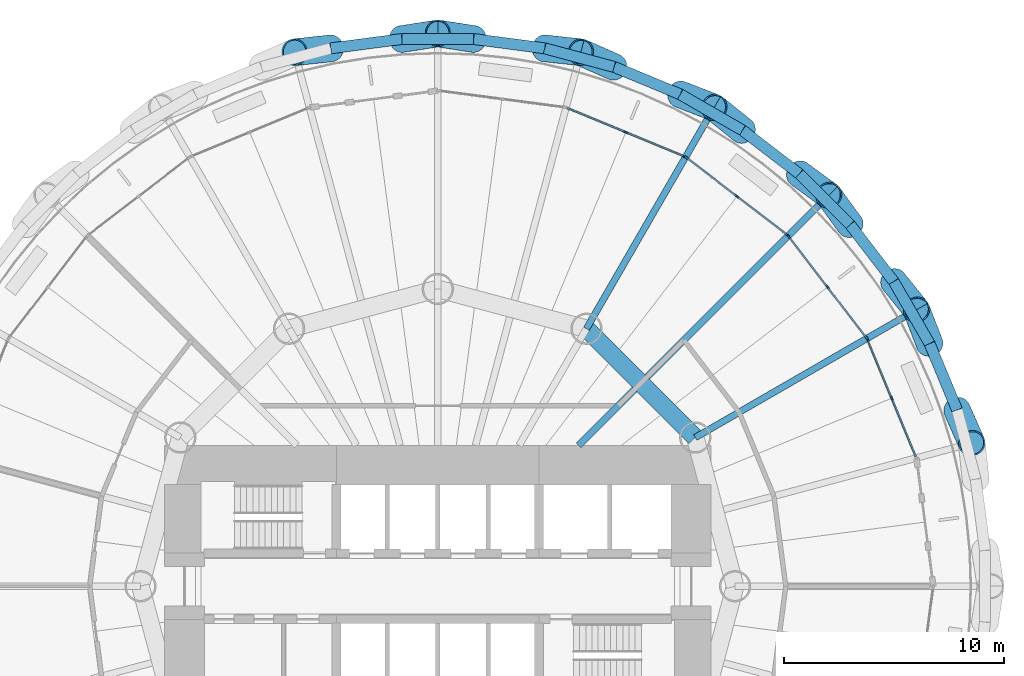
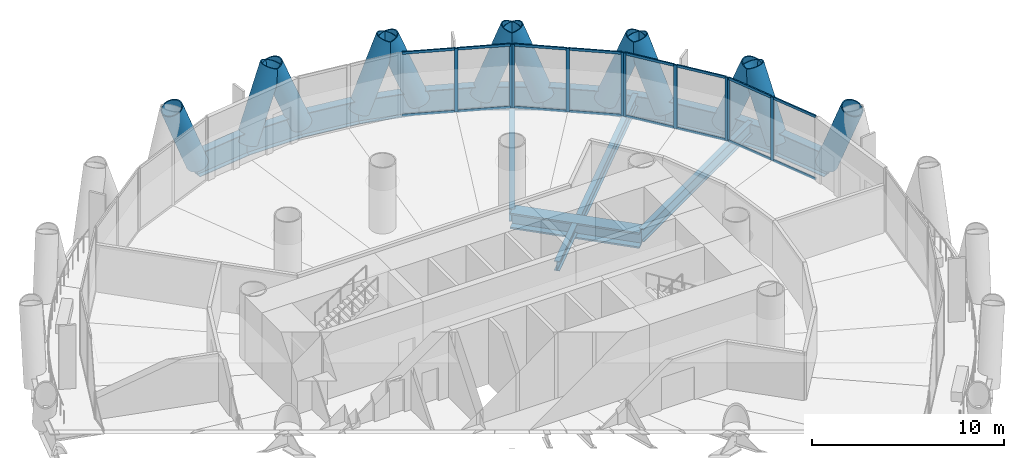
# One storey, part 7 of 16: 38 members, 16 beams, 4 elements without a shape of their own.
"""IFC4 building model written with IfcOpenShell, lengths in metres."""

from ifc_helpers import new_model, si_unit, direction, frame, origin, origin_2d, place, context, subcontext, project, spatial, rectangle, hollow_circle, i_section, extrude, material, material_profile, profile_set, type_object, element, aggregate, save


model = new_model("IFC4")

# Units and contexts
model_context = context("Model", 3, precision=1e-05, world=origin(), true_north=direction((0.0, 1.0)))
body_context = subcontext(model_context, "Body", "Model", "MODEL_VIEW")
ifc_project = project(units=[si_unit("LENGTHUNIT", "METRE"), si_unit("AREAUNIT", "SQUARE_METRE"), si_unit("VOLUMEUNIT", "CUBIC_METRE"), si_unit("PLANEANGLEUNIT", "RADIAN"), si_unit("MASSUNIT", "GRAM", prefix="KILO")], contexts=[model_context])

# Site, building, storey
site_placement = place(None, origin())
site = spatial("IfcSite", under=ifc_project, at=site_placement, CompositionType="ELEMENT")
building_placement = place(site_placement, origin())
building = spatial("IfcBuilding", under=site, at=building_placement, Name="Qaws Media Tower", CompositionType="ELEMENT")
storey_placement = place(building_placement, frame((0.0, 0.0, 55.39990234375)))
storey = spatial("IfcBuildingStorey", under=building, at=storey_placement, Name="L11", CompositionType="ELEMENT", Elevation=55.39990234375)

# Curtain wall, members
ifc_material_1 = material(Name="Aluminium and clear glass", Category="aluminium")
curtain_wall_type = type_object("IfcCurtainWallType", Name="Unitised curtain wall CW-A", PredefinedType="NOTDEFINED", material=ifc_material_1)
curtain_wall_1_placement = place(storey_placement, origin())
curtain_wall_1 = element("IfcCurtainWall", 1, at=curtain_wall_1_placement, inside=storey, type_object=curtain_wall_type, Name="CWA curtain wall L11-02", PredefinedType="NOTDEFINED")
ifc_material_2 = material(Name="Aluminium mullion", Category="aluminium")
ifc_material_profile_1 = material_profile(ifc_material_2, rectangle(XDim=0.080078125, YDim=0.199951171875, at=origin_2d()), Name="80x200")
ifc_profile_set_1 = profile_set([ifc_material_profile_1], Name="Aluminium mullion")
member_type_1 = type_object("IfcMemberType", Name="Curtain wall mullion 80x200", PredefinedType="MULLION", material=ifc_profile_set_1)
member_1_placement = place(storey_placement, frame((80.609375, 58.53662109375, 0.0), z_axis=(0.0, 0.0, 1.0), x_axis=(-0.923879550892, -0.38268338799, 0.0)))
member_1 = element("IfcMember", 2, at=member_1_placement, type_object=member_type_1, Name="CWA mullion 2", PredefinedType="MULLION", context=body_context, shape_type="SweptSolid", body=[
    extrude(rectangle(XDim=0.080078125, YDim=0.199951171875, at=origin_2d()), origin(), (0.0, 0.0, 1.0), 4.0400390625),
])
member_2_placement = place(storey_placement, frame((79.5009765625, 61.213134765625, 0.0), z_axis=(0.0, 0.0, 1.0), x_axis=(-0.923879550892, -0.38268338799, 0.0)))
member_2 = element("IfcMember", 3, at=member_2_placement, type_object=member_type_1, Name="CWA mullion 3", PredefinedType="MULLION", context=body_context, shape_type="SweptSolid", body=[
    extrude(rectangle(XDim=0.080078125, YDim=0.199951171875, at=origin_2d()), origin(), (0.0, 0.0, 1.0), 4.0400390625),
])

curtain_wall_2_placement = place(storey_placement, origin())
curtain_wall_2 = element("IfcCurtainWall", 4, at=curtain_wall_2_placement, inside=storey, type_object=curtain_wall_type, Name="CWA curtain wall L11-03", PredefinedType="NOTDEFINED")
member_3_placement = place(storey_placement, frame((79.461181640625, 61.28173828125, 0.0), z_axis=(0.0, 0.0, 1.0), x_axis=(-0.793353367693, -0.608761393298, 0.0)))
member_3 = element("IfcMember", 5, at=member_3_placement, type_object=member_type_1, Name="CWA mullion 1", PredefinedType="MULLION", context=body_context, shape_type="SweptSolid", body=[
    extrude(rectangle(XDim=0.080078125, YDim=0.199951171875, at=origin_2d()), origin(), (0.0, 0.0, 1.0), 4.0400390625),
])
member_4_placement = place(storey_placement, frame((77.69775390625, 63.579833984375, 0.0), z_axis=(0.0, 0.0, 1.0), x_axis=(-0.793353367693, -0.608761393298, 0.0)))
member_4 = element("IfcMember", 6, at=member_4_placement, type_object=member_type_1, Name="CWA mullion 2", PredefinedType="MULLION", context=body_context, shape_type="SweptSolid", body=[
    extrude(rectangle(XDim=0.080078125, YDim=0.199951171875, at=origin_2d()), origin(), (0.0, 0.0, 1.0), 4.0400390625),
])
member_5_placement = place(storey_placement, frame((75.934326171875, 65.878173828125, 0.0), z_axis=(0.0, 0.0, 1.0), x_axis=(-0.793353367693, -0.608761393298, 0.0)))
member_5 = element("IfcMember", 7, at=member_5_placement, type_object=member_type_1, Name="CWA mullion 3", PredefinedType="MULLION", context=body_context, shape_type="SweptSolid", body=[
    extrude(rectangle(XDim=0.080078125, YDim=0.199951171875, at=origin_2d()), origin(), (0.0, 0.0, 1.0), 4.0400390625),
])

curtain_wall_3_placement = place(storey_placement, origin())
curtain_wall_3 = element("IfcCurtainWall", 8, at=curtain_wall_3_placement, inside=storey, type_object=curtain_wall_type, Name="CWA curtain wall L11-04", PredefinedType="NOTDEFINED")
member_6_placement = place(storey_placement, frame((75.878173828125, 65.934326171875, 0.0), z_axis=(0.0, 0.0, 1.0), x_axis=(-0.608761393298, -0.793353367693, 0.0)))
member_6 = element("IfcMember", 9, at=member_6_placement, type_object=member_type_1, Name="CWA mullion 1", PredefinedType="MULLION", context=body_context, shape_type="SweptSolid", body=[
    extrude(rectangle(XDim=0.080078125, YDim=0.199951171875, at=origin_2d()), origin(), (0.0, 0.0, 1.0), 4.0400390625),
])
member_7_placement = place(storey_placement, frame((73.579833984375, 67.69775390625, 0.0), z_axis=(0.0, 0.0, 1.0), x_axis=(-0.608761393298, -0.793353367693, 0.0)))
member_7 = element("IfcMember", 10, at=member_7_placement, type_object=member_type_1, Name="CWA mullion 2", PredefinedType="MULLION", context=body_context, shape_type="SweptSolid", body=[
    extrude(rectangle(XDim=0.080078125, YDim=0.199951171875, at=origin_2d()), origin(), (0.0, 0.0, 1.0), 4.0400390625),
])
member_8_placement = place(storey_placement, frame((71.28173828125, 69.461181640625, 0.0), z_axis=(0.0, 0.0, 1.0), x_axis=(-0.608761393298, -0.793353367693, 0.0)))
member_8 = element("IfcMember", 11, at=member_8_placement, type_object=member_type_1, Name="CWA mullion 3", PredefinedType="MULLION", context=body_context, shape_type="SweptSolid", body=[
    extrude(rectangle(XDim=0.080078125, YDim=0.199951171875, at=origin_2d()), origin(), (0.0, 0.0, 1.0), 4.0400390625),
])

curtain_wall_4_placement = place(storey_placement, origin())
curtain_wall_4 = element("IfcCurtainWall", 12, at=curtain_wall_4_placement, inside=storey, type_object=curtain_wall_type, Name="CWA curtain wall L11-05", PredefinedType="NOTDEFINED")
member_9_placement = place(storey_placement, frame((71.213134765625, 69.5009765625, 0.0), z_axis=(0.0, 0.0, 1.0), x_axis=(-0.38268338799, -0.923879550892, 0.0)))
member_9 = element("IfcMember", 13, at=member_9_placement, type_object=member_type_1, Name="CWA mullion 1", PredefinedType="MULLION", context=body_context, shape_type="SweptSolid", body=[
    extrude(rectangle(XDim=0.080078125, YDim=0.199951171875, at=origin_2d()), origin(), (0.0, 0.0, 1.0), 4.0400390625),
])
member_10_placement = place(storey_placement, frame((68.53662109375, 70.609375, 0.0), z_axis=(0.0, 0.0, 1.0), x_axis=(-0.38268338799, -0.923879550892, 0.0)))
member_10 = element("IfcMember", 14, at=member_10_placement, type_object=member_type_1, Name="CWA mullion 2", PredefinedType="MULLION", context=body_context, shape_type="SweptSolid", body=[
    extrude(rectangle(XDim=0.080078125, YDim=0.199951171875, at=origin_2d()), origin(), (0.0, 0.0, 1.0), 4.0400390625),
])

# Member
ifc_material_3 = material(Name="Aluminium transom", Category="aluminium")
ifc_material_profile_2 = material_profile(ifc_material_3, rectangle(XDim=0.080078125, YDim=0.159912109375, at=origin_2d()), Name="80x160")
ifc_profile_set_2 = profile_set([ifc_material_profile_2], Name="Aluminium transom")
member_type_2 = type_object("IfcMemberType", Name="Curtain wall transom 80x160", PredefinedType="USERDEFINED", material=ifc_profile_set_2)
member_11_placement = place(storey_placement, frame((81.70263671875, 55.8974609375, 0.0400390625), z_axis=(-0.382675859369, 0.923882669313, 0.0), x_axis=(-0.923882669313, -0.382675859369, 0.0)))
member_11 = element("IfcMember", 15, at=member_11_placement, type_object=member_type_2, Name="CWA transom 1.1", ObjectType="TRANSOM", PredefinedType="USERDEFINED", context=body_context, shape_type="SweptSolid", body=[
    extrude(rectangle(XDim=0.080078125, YDim=0.159912109375, at=origin_2d()), origin(), (0.0, 0.0, 1.0), 2.816650390625),
])

member_12_placement = place(storey_placement, frame((81.70263671875, 55.8974609375, 4.0), z_axis=(-0.382675859369, 0.923882669313, 0.0), x_axis=(-0.923882669313, -0.382675859369, 0.0)))
member_12 = element("IfcMember", 16, at=member_12_placement, type_object=member_type_2, Name="CWA transom 1.2", ObjectType="TRANSOM", PredefinedType="USERDEFINED", context=body_context, shape_type="SweptSolid", body=[
    extrude(rectangle(XDim=0.080078125, YDim=0.159912109375, at=origin_2d()), origin(), (0.0, 0.0, 1.0), 2.816650390625),
])

member_13_placement = place(storey_placement, frame((80.59423828125, 58.57373046875, 0.0400390625), z_axis=(-0.382749839039, 0.92385202317, 0.0), x_axis=(-0.92385202317, -0.382749839039, 0.0)))
member_13 = element("IfcMember", 17, at=member_13_placement, type_object=member_type_2, Name="CWA transom 2.1", ObjectType="TRANSOM", PredefinedType="USERDEFINED", context=body_context, shape_type="SweptSolid", body=[
    extrude(rectangle(XDim=0.080078125, YDim=0.159912109375, at=origin_2d()), origin(), (0.0, 0.0, 1.0), 2.81689453125),
])

member_14_placement = place(storey_placement, frame((80.59423828125, 58.57373046875, 4.0), z_axis=(-0.382749839039, 0.92385202317, 0.0), x_axis=(-0.92385202317, -0.382749839039, 0.0)))
member_14 = element("IfcMember", 18, at=member_14_placement, type_object=member_type_2, Name="CWA transom 2.2", ObjectType="TRANSOM", PredefinedType="USERDEFINED", context=body_context, shape_type="SweptSolid", body=[
    extrude(rectangle(XDim=0.080078125, YDim=0.159912109375, at=origin_2d()), origin(), (0.0, 0.0, 1.0), 2.81689453125),
])

aggregate(curtain_wall_1, [member_1, member_2, member_11, member_12, member_13, member_14])

member_15_placement = place(storey_placement, frame((79.436767578125, 61.3134765625, 0.0400390625), z_axis=(-0.608742665806, 0.793367737451, 0.0), x_axis=(-0.793367737451, -0.608742665806, 0.0)))
member_15 = element("IfcMember", 19, at=member_15_placement, type_object=member_type_2, Name="CWA transom 1.1", ObjectType="TRANSOM", PredefinedType="USERDEFINED", context=body_context, shape_type="SweptSolid", body=[
    extrude(rectangle(XDim=0.080078125, YDim=0.159912109375, at=origin_2d()), origin(), (0.0, 0.0, 1.0), 2.816650390625),
])

member_16_placement = place(storey_placement, frame((79.436767578125, 61.3134765625, 4.0), z_axis=(-0.608742665806, 0.793367737451, 0.0), x_axis=(-0.793367737451, -0.608742665806, 0.0)))
member_16 = element("IfcMember", 20, at=member_16_placement, type_object=member_type_2, Name="CWA transom 1.2", ObjectType="TRANSOM", PredefinedType="USERDEFINED", context=body_context, shape_type="SweptSolid", body=[
    extrude(rectangle(XDim=0.080078125, YDim=0.159912109375, at=origin_2d()), origin(), (0.0, 0.0, 1.0), 2.816650390625),
])

member_17_placement = place(storey_placement, frame((77.67333984375, 63.611572265625, 0.0400390625), z_axis=(-0.608755360459, 0.793357996817, 0.0), x_axis=(-0.793357996817, -0.608755360459, 0.0)))
member_17 = element("IfcMember", 21, at=member_17_placement, type_object=member_type_2, Name="CWA transom 2.1", ObjectType="TRANSOM", PredefinedType="USERDEFINED", context=body_context, shape_type="SweptSolid", body=[
    extrude(rectangle(XDim=0.080078125, YDim=0.159912109375, at=origin_2d()), origin(), (0.0, 0.0, 1.0), 2.81689453125),
])

member_18_placement = place(storey_placement, frame((77.67333984375, 63.611572265625, 4.0), z_axis=(-0.608755360459, 0.793357996817, 0.0), x_axis=(-0.793357996817, -0.608755360459, 0.0)))
member_18 = element("IfcMember", 22, at=member_18_placement, type_object=member_type_2, Name="CWA transom 2.2", ObjectType="TRANSOM", PredefinedType="USERDEFINED", context=body_context, shape_type="SweptSolid", body=[
    extrude(rectangle(XDim=0.080078125, YDim=0.159912109375, at=origin_2d()), origin(), (0.0, 0.0, 1.0), 2.81689453125),
])

aggregate(curtain_wall_2, [member_3, member_4, member_5, member_15, member_16, member_17, member_18])

member_19_placement = place(storey_placement, frame((75.846435546875, 65.95849609375, 0.0400390625), z_axis=(-0.793357996817, 0.608755360459, 0.0), x_axis=(-0.608755360459, -0.793357996817, 0.0)))
member_19 = element("IfcMember", 23, at=member_19_placement, type_object=member_type_2, Name="CWA transom 1.1", ObjectType="TRANSOM", PredefinedType="USERDEFINED", context=body_context, shape_type="SweptSolid", body=[
    extrude(rectangle(XDim=0.080078125, YDim=0.159912109375, at=origin_2d()), origin(), (0.0, 0.0, 1.0), 2.81689453125),
])

member_20_placement = place(storey_placement, frame((75.846435546875, 65.95849609375, 4.0), z_axis=(-0.793357996817, 0.608755360459, 0.0), x_axis=(-0.608755360459, -0.793357996817, 0.0)))
member_20 = element("IfcMember", 24, at=member_20_placement, type_object=member_type_2, Name="CWA transom 1.2", ObjectType="TRANSOM", PredefinedType="USERDEFINED", context=body_context, shape_type="SweptSolid", body=[
    extrude(rectangle(XDim=0.080078125, YDim=0.159912109375, at=origin_2d()), origin(), (0.0, 0.0, 1.0), 2.81689453125),
])

member_21_placement = place(storey_placement, frame((73.548095703125, 67.72216796875, 0.0400390625), z_axis=(-0.793367737451, 0.608742665806, 0.0), x_axis=(-0.608742665806, -0.793367737451, 0.0)))
member_21 = element("IfcMember", 25, at=member_21_placement, type_object=member_type_2, Name="CWA transom 2.1", ObjectType="TRANSOM", PredefinedType="USERDEFINED", context=body_context, shape_type="SweptSolid", body=[
    extrude(rectangle(XDim=0.080078125, YDim=0.159912109375, at=origin_2d()), origin(), (0.0, 0.0, 1.0), 2.816650390625),
])

member_22_placement = place(storey_placement, frame((73.548095703125, 67.72216796875, 4.0), z_axis=(-0.793367737451, 0.608742665806, 0.0), x_axis=(-0.608742665806, -0.793367737451, 0.0)))
member_22 = element("IfcMember", 26, at=member_22_placement, type_object=member_type_2, Name="CWA transom 2.2", ObjectType="TRANSOM", PredefinedType="USERDEFINED", context=body_context, shape_type="SweptSolid", body=[
    extrude(rectangle(XDim=0.080078125, YDim=0.159912109375, at=origin_2d()), origin(), (0.0, 0.0, 1.0), 2.816650390625),
])

aggregate(curtain_wall_3, [member_6, member_7, member_8, member_19, member_20, member_21, member_22])

member_23_placement = place(storey_placement, frame((71.176025390625, 69.51611328125, 0.0400390625), z_axis=(-0.92385202317, 0.382749839039, 0.0), x_axis=(-0.382749839039, -0.92385202317, 0.0)))
member_23 = element("IfcMember", 27, at=member_23_placement, type_object=member_type_2, Name="CWA transom 1.1", ObjectType="TRANSOM", PredefinedType="USERDEFINED", context=body_context, shape_type="SweptSolid", body=[
    extrude(rectangle(XDim=0.080078125, YDim=0.159912109375, at=origin_2d()), origin(), (0.0, 0.0, 1.0), 2.81689453125),
])

member_24_placement = place(storey_placement, frame((71.176025390625, 69.51611328125, 4.0), z_axis=(-0.92385202317, 0.382749839039, 0.0), x_axis=(-0.382749839039, -0.92385202317, 0.0)))
member_24 = element("IfcMember", 28, at=member_24_placement, type_object=member_type_2, Name="CWA transom 1.2", ObjectType="TRANSOM", PredefinedType="USERDEFINED", context=body_context, shape_type="SweptSolid", body=[
    extrude(rectangle(XDim=0.080078125, YDim=0.159912109375, at=origin_2d()), origin(), (0.0, 0.0, 1.0), 2.81689453125),
])

member_25_placement = place(storey_placement, frame((68.499755859375, 70.624755859375, 0.0400390625), z_axis=(-0.923882669313, 0.382675859369, 0.0), x_axis=(-0.382675859369, -0.923882669313, 0.0)))
member_25 = element("IfcMember", 29, at=member_25_placement, type_object=member_type_2, Name="CWA transom 2.1", ObjectType="TRANSOM", PredefinedType="USERDEFINED", context=body_context, shape_type="SweptSolid", body=[
    extrude(rectangle(XDim=0.080078125, YDim=0.159912109375, at=origin_2d()), origin(), (0.0, 0.0, 1.0), 2.816650390625),
])

member_26_placement = place(storey_placement, frame((68.499755859375, 70.624755859375, 4.0), z_axis=(-0.923882669313, 0.382675859369, 0.0), x_axis=(-0.382675859369, -0.923882669313, 0.0)))
member_26 = element("IfcMember", 30, at=member_26_placement, type_object=member_type_2, Name="CWA transom 2.2", ObjectType="TRANSOM", PredefinedType="USERDEFINED", context=body_context, shape_type="SweptSolid", body=[
    extrude(rectangle(XDim=0.080078125, YDim=0.159912109375, at=origin_2d()), origin(), (0.0, 0.0, 1.0), 2.816650390625),
])

aggregate(curtain_wall_4, [member_9, member_10, member_23, member_24, member_25, member_26])

# Members
ifc_material_4 = material(Name="Steel S460", Category="steel")
ifc_material_profile_3 = material_profile(ifc_material_4, hollow_circle(Radius=0.609619140625, WallThickness=0.06005859375, at=origin_2d()), Name="CHS 1219x60")
ifc_profile_set_3 = profile_set([ifc_material_profile_3], Name="Steel S460")
member_type_3 = type_object("IfcMemberType", Name="Diagrid member CHS 1219x60", PredefinedType="USERDEFINED", material=ifc_profile_set_3)
for number, where, z_axis, x_axis, name in (
    (31, (82.33203125, 61.012939453125, -0.909912109375), (-0.131816923329, 0.340689388047, 0.930889380967), (-0.932625997701, -0.360844493393, 0.0), "DG1 diagrid L11 A02"),
    (32, (83.57861328125, 58.00390625, -0.909912109375), (0.147617876658, -0.334142371102, 0.930890884221), (0.914713346235, 0.404103321219, 0.0), "DG1 diagrid L11 B02"),
    (33, (78.720703125, 66.417724609375, -0.909912109375), (-0.215530429883, 0.294913593488, 0.93089881629), (-0.807369407672, -0.590046302891, 0.0), "DG1 diagrid L11 A03"),
    (34, (80.70361328125, 63.833740234375, -0.909912109375), (0.229110498228, -0.28452125642, 0.930889915214), (0.778870486931, 0.627184793014, 0.0), "DG1 diagrid L11 B03"),
    (35, (73.833740234375, 70.70361328125, -0.909912109375), (-0.28452125642, 0.229110498228, 0.930889915214), (-0.627184793014, -0.778870486931, 0.0), "DG1 diagrid L11 A04"),
    (36, (76.417724609375, 68.720703125, -0.909912109375), (0.294913593488, -0.215530429883, 0.93089881629), (0.590046302891, 0.807369407672, 0.0), "DG1 diagrid L11 B04"),
    (37, (68.00390625, 73.57861328125, -0.909912109375), (-0.334142371102, 0.147617876658, 0.930890884221), (-0.404103321219, -0.914713346235, 0.0), "DG1 diagrid L11 A05"),
    (38, (71.012939453125, 72.33203125, -0.909912109375), (0.340689388047, -0.131816923329, 0.930889380967), (0.360844493393, 0.932625997701, 0.0), "DG1 diagrid L11 B05"),
    (39, (61.62841796875, 74.8466796875, -0.909912109375), (-0.360931183514, 0.056168900823, 0.930899422788), (-0.153771291255, -0.988106466928, 0.0), "DG1 diagrid L11 A06"),
    (40, (64.857666015625, 74.421630859375, -0.909912109375), (0.363198476456, -0.039231063086, 0.930885487259), (0.107390828368, 0.994216882769, 0.0), "DG1 diagrid L11 B06"),
    (41, (55.142333984375, 74.421630859375, -0.909912109375), (-0.363198476456, -0.039231063086, 0.930885487259), (0.107390828368, -0.994216882769, 0.0), "DG1 diagrid L11 A07"),
    (42, (58.37158203125, 74.8466796875, -0.909912109375), (0.360931183514, 0.056168900823, 0.930899422788), (-0.153771291255, 0.988106466928, 0.0), "DG1 diagrid L11 B07"),
):
    element("IfcMember", number, at=place(storey_placement, frame(where, z_axis=z_axis, x_axis=x_axis)), inside=storey, type_object=member_type_3, Name=name, ObjectType="DIAGRID", PredefinedType="USERDEFINED", context=body_context, shape_type="SweptSolid", body=[
        extrude(hollow_circle(Radius=0.609619140625, WallThickness=0.06005859375, at=origin_2d()), origin(), (0.0, 0.0, 1.0), 4.51171875),
    ])

# Beams
ifc_material_5 = material(Name="Steel S460", Category="steel")
ifc_material_profile_4 = material_profile(ifc_material_5, i_section(OverallWidth=0.5, OverallDepth=1.5, WebThickness=0.02001953125, FlangeThickness=0.0400390625, at=origin_2d()), Name="PG 1500x500")
ifc_profile_set_4 = profile_set([ifc_material_profile_4], Name="Steel S460")
beam_type_1 = type_object("IfcBeamType", Name="Edge ring beam PG 1500x500", PredefinedType="BEAM", material=ifc_profile_set_4)
for number, where, z_axis, x_axis, name in (
    (43, (83.57861328125, 58.00390625, -0.909912109375), (-0.382735757959, 0.923857856805, 0.0), (-0.923857856805, -0.382735757959, 0.0), "RB4 edge ring beam L11-03"),
    (44, (82.33203125, 61.012939453125, -0.909912109375), (-0.499960365612, 0.8660482855, 0.0), (-0.8660482855, -0.499960365612, 0.0), "RB4 edge ring beam L11-04"),
    (45, (80.70361328125, 63.833740234375, -0.909912109375), (-0.608790261777, 0.793331215298, 0.0), (-0.793331215298, -0.608790261777, 0.0), "RB4 edge ring beam L11-05"),
):
    element("IfcBeam", number, at=place(storey_placement, frame(where, z_axis=z_axis, x_axis=x_axis)), inside=storey, type_object=beam_type_1, Name=name, PredefinedType="BEAM", context=body_context, shape_type="SweptSolid", body=[
        extrude(i_section(OverallWidth=0.5, OverallDepth=1.5, WebThickness=0.02001953125, FlangeThickness=0.0400390625, at=origin_2d()), origin(), (0.0, 0.0, 1.0), 3.257080078125),
    ])
beam_1_placement = place(storey_placement, frame((78.720703125, 66.417724609375, -0.909912109375), z_axis=(-0.707106781187, 0.707106781187, 0.0), x_axis=(-0.707106781187, -0.707106781187, 0.0)))
element("IfcBeam", 46, at=beam_1_placement, inside=storey, type_object=beam_type_1, Name="RB4 edge ring beam L11-06", PredefinedType="BEAM", context=body_context, shape_type="SweptSolid", body=[
    extrude(i_section(OverallWidth=0.5, OverallDepth=1.5, WebThickness=0.02001953125, FlangeThickness=0.0400390625, at=origin_2d()), origin(), (0.0, 0.0, 1.0), 3.2568359375),
])
for number, where, z_axis, x_axis, name in (
    (47, (76.417724609375, 68.720703125, -0.909912109375), (-0.793331215298, 0.608790261777, 0.0), (-0.608790261777, -0.793331215298, 0.0), "RB4 edge ring beam L11-07"),
    (48, (73.833740234375, 70.70361328125, -0.909912109375), (-0.8660482855, 0.499960365612, 0.0), (-0.499960365612, -0.8660482855, 0.0), "RB4 edge ring beam L11-08"),
    (49, (71.012939453125, 72.33203125, -0.909912109375), (-0.923857856805, 0.382735757959, 0.0), (-0.382735757959, -0.923857856805, 0.0), "RB4 edge ring beam L11-09"),
):
    element("IfcBeam", number, at=place(storey_placement, frame(where, z_axis=z_axis, x_axis=x_axis)), inside=storey, type_object=beam_type_1, Name=name, PredefinedType="BEAM", context=body_context, shape_type="SweptSolid", body=[
        extrude(i_section(OverallWidth=0.5, OverallDepth=1.5, WebThickness=0.02001953125, FlangeThickness=0.0400390625, at=origin_2d()), origin(), (0.0, 0.0, 1.0), 3.257080078125),
    ])
beam_2_placement = place(storey_placement, frame((68.00390625, 73.57861328125, -0.909912109375), z_axis=(-0.965926973873, 0.258814762224, 0.0), x_axis=(-0.258814762224, -0.965926973873, 0.0)))
element("IfcBeam", 50, at=beam_2_placement, inside=storey, type_object=beam_type_1, Name="RB4 edge ring beam L11-10", PredefinedType="BEAM", context=body_context, shape_type="SweptSolid", body=[
    extrude(i_section(OverallWidth=0.5, OverallDepth=1.5, WebThickness=0.02001953125, FlangeThickness=0.0400390625, at=origin_2d()), origin(), (0.0, 0.0, 1.0), 3.25732421875),
])
beam_3_placement = place(storey_placement, frame((64.857666015625, 74.421630859375, -0.909912109375), z_axis=(-0.991448426611, 0.130499108697, 0.0), x_axis=(-0.130499108697, -0.991448426611, 0.0)))
element("IfcBeam", 51, at=beam_3_placement, inside=storey, type_object=beam_type_1, Name="RB4 edge ring beam L11-11", PredefinedType="BEAM", context=body_context, shape_type="SweptSolid", body=[
    extrude(i_section(OverallWidth=0.5, OverallDepth=1.5, WebThickness=0.02001953125, FlangeThickness=0.0400390625, at=origin_2d()), origin(), (0.0, 0.0, 1.0), 3.257080078125),
])
beam_4_placement = place(storey_placement, frame((61.62841796875, 74.8466796875, -0.909912109375), z_axis=(-1.0, 0.0, 0.0), x_axis=(0.0, -1.0, 0.0)))
element("IfcBeam", 52, at=beam_4_placement, inside=storey, type_object=beam_type_1, Name="RB4 edge ring beam L11-12", PredefinedType="BEAM", context=body_context, shape_type="SweptSolid", body=[
    extrude(i_section(OverallWidth=0.5, OverallDepth=1.5, WebThickness=0.02001953125, FlangeThickness=0.0400390625, at=origin_2d()), origin(), (0.0, 0.0, 1.0), 3.2568359375),
])
beam_5_placement = place(storey_placement, frame((58.37158203125, 74.8466796875, -0.909912109375), z_axis=(-0.991448426611, -0.130499108697, 0.0), x_axis=(0.130499108697, -0.991448426611, 0.0)))
element("IfcBeam", 53, at=beam_5_placement, inside=storey, type_object=beam_type_1, Name="RB4 edge ring beam L11-13", PredefinedType="BEAM", context=body_context, shape_type="SweptSolid", body=[
    extrude(i_section(OverallWidth=0.5, OverallDepth=1.5, WebThickness=0.02001953125, FlangeThickness=0.0400390625, at=origin_2d()), origin(), (0.0, 0.0, 1.0), 3.257080078125),
])
ifc_material_6 = material(Name="Steel S460", Category="steel")
ifc_material_profile_5 = material_profile(ifc_material_6, i_section(OverallWidth=0.800048828125, OverallDepth=1.0, WebThickness=0.0400390625, FlangeThickness=0.10009765625, at=origin_2d()), Name="PG 1000x800")
ifc_profile_set_5 = profile_set([ifc_material_profile_5], Name="Steel S460")
beam_type_2 = type_object("IfcBeamType", Name="Inner ring girder PG 1000x800", PredefinedType="BEAM", material=ifc_profile_set_5)
beam_6_placement = place(storey_placement, frame((71.69140625, 56.75, -0.659912109375), z_axis=(-0.707106781187, 0.707106781187, 0.0), x_axis=(-0.707106781187, -0.707106781187, 0.0)))
element("IfcBeam", 54, at=beam_6_placement, inside=storey, type_object=beam_type_2, Name="B3 inner ring beam L11 I02-I03", PredefinedType="BEAM", context=body_context, shape_type="SweptSolid", body=[
    extrude(i_section(OverallWidth=0.800048828125, OverallDepth=1.0, WebThickness=0.0400390625, FlangeThickness=0.10009765625, at=origin_2d()), origin(), (0.0, 0.0, 1.0), 6.98828125),
])
ifc_material_7 = material(Name="Steel S355", Category="steel")
ifc_material_profile_6 = material_profile(ifc_material_7, i_section(OverallWidth=0.304931640625, OverallDepth=0.6201171875, WebThickness=0.02099609375, FlangeThickness=0.0400390625, FilletRadius=0.027099609375, at=origin_2d()), Name="HE 600 M")
ifc_profile_set_6 = profile_set([ifc_material_profile_6], Name="Steel S355")
beam_type_3 = type_object("IfcBeamType", Name="Radial beam HE 600 M, core side", PredefinedType="BEAM", material=ifc_profile_set_6)
beam_7_placement = place(storey_placement, frame((66.39990234375, 56.39990234375, -0.469970703125), z_axis=(0.707106781187, 0.707106781187, 0.0), x_axis=(-0.707106781187, 0.707106781187, 0.0)))
element("IfcBeam", 55, at=beam_7_placement, inside=storey, type_object=beam_type_3, Name="B2 radial beam L11 04", PredefinedType="BEAM", context=body_context, shape_type="SweptSolid", body=[
    extrude(i_section(OverallWidth=0.304931640625, OverallDepth=0.6201171875, WebThickness=0.02099609375, FlangeThickness=0.0400390625, FilletRadius=0.027099609375, at=origin_2d()), origin(), (0.0, 0.0, 1.0), 3.589111328125),
])
ifc_material_8 = material(Name="Steel S355", Category="steel")
ifc_material_profile_7 = material_profile(ifc_material_8, i_section(OverallWidth=0.300048828125, OverallDepth=0.800048828125, WebThickness=0.017578125, FlangeThickness=0.032958984375, FilletRadius=0.030029296875, at=origin_2d()), Name="HE 800 B")
ifc_profile_set_7 = profile_set([ifc_material_profile_7], Name="Steel S355")
beam_type_4 = type_object("IfcBeamType", Name="Radial beam HE 800 B", PredefinedType="BEAM", material=ifc_profile_set_7)
beam_8_placement = place(storey_placement, frame((71.69140625, 56.75, -0.559814453125), z_axis=(0.866023270045, 0.500003695727, 0.0), x_axis=(-0.500003695727, 0.866023270045, 0.0)))
element("IfcBeam", 56, at=beam_8_placement, inside=storey, type_object=beam_type_4, Name="B1 radial beam L11 03", PredefinedType="BEAM", context=body_context, shape_type="SweptSolid", body=[
    extrude(i_section(OverallWidth=0.300048828125, OverallDepth=0.800048828125, WebThickness=0.017578125, FlangeThickness=0.032958984375, FilletRadius=0.030029296875, at=origin_2d()), origin(), (0.0, 0.0, 1.0), 11.3466796875),
])
beam_9_placement = place(storey_placement, frame((69.50341796875, 59.50341796875, -0.559814453125), z_axis=(0.707106781187, 0.707106781187, 0.0), x_axis=(-0.707106781187, 0.707106781187, 0.0)))
element("IfcBeam", 57, at=beam_9_placement, inside=storey, type_object=beam_type_4, Name="B1 radial beam L11 04", PredefinedType="BEAM", context=body_context, shape_type="SweptSolid", body=[
    extrude(i_section(OverallWidth=0.300048828125, OverallDepth=0.800048828125, WebThickness=0.017578125, FlangeThickness=0.032958984375, FilletRadius=0.030029296875, at=origin_2d()), origin(), (0.0, 0.0, 1.0), 11.406982421875),
])
beam_10_placement = place(storey_placement, frame((66.75, 61.69140625, -0.559814453125), z_axis=(0.500003695727, 0.866023270045, 0.0), x_axis=(-0.866023270045, 0.500003695727, 0.0)))
element("IfcBeam", 58, at=beam_10_placement, inside=storey, type_object=beam_type_4, Name="B1 radial beam L11 05", PredefinedType="BEAM", context=body_context, shape_type="SweptSolid", body=[
    extrude(i_section(OverallWidth=0.300048828125, OverallDepth=0.800048828125, WebThickness=0.017578125, FlangeThickness=0.032958984375, FilletRadius=0.030029296875, at=origin_2d()), origin(), (0.0, 0.0, 1.0), 11.3466796875),
])

save(model, "model.ifc")
